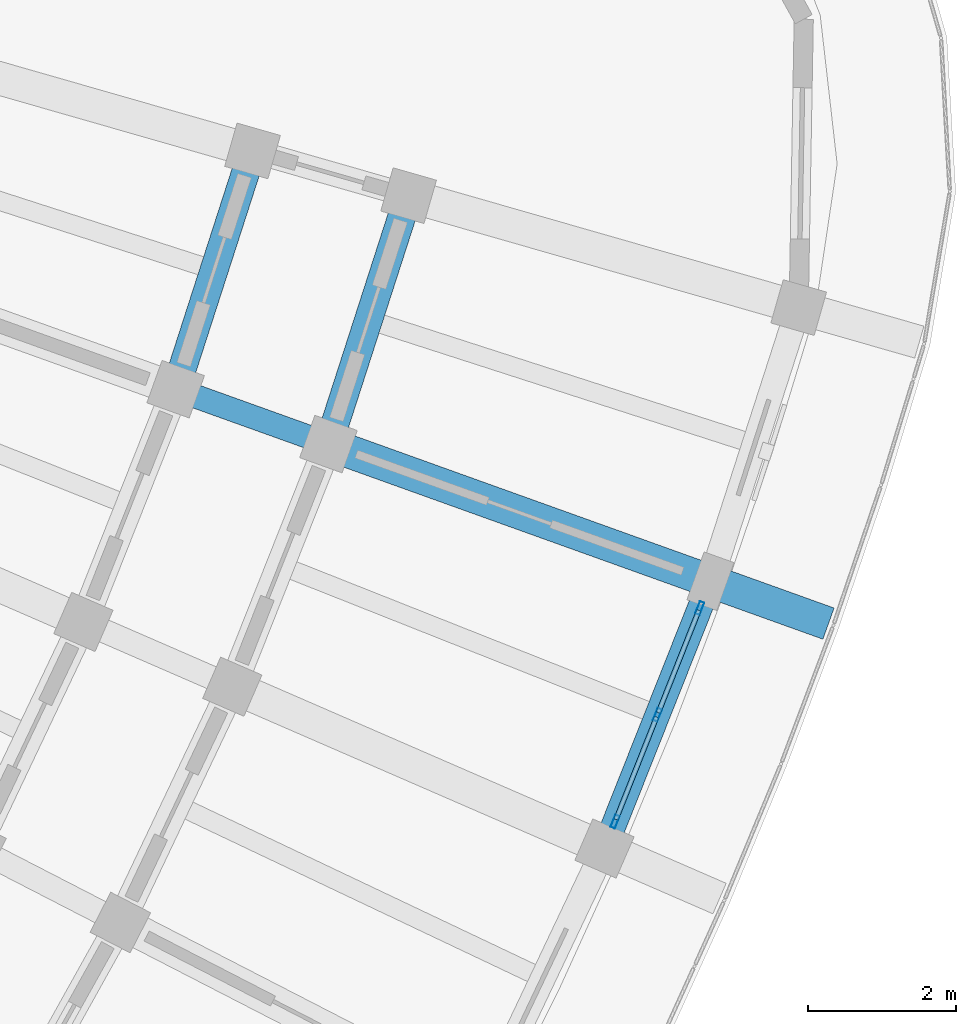
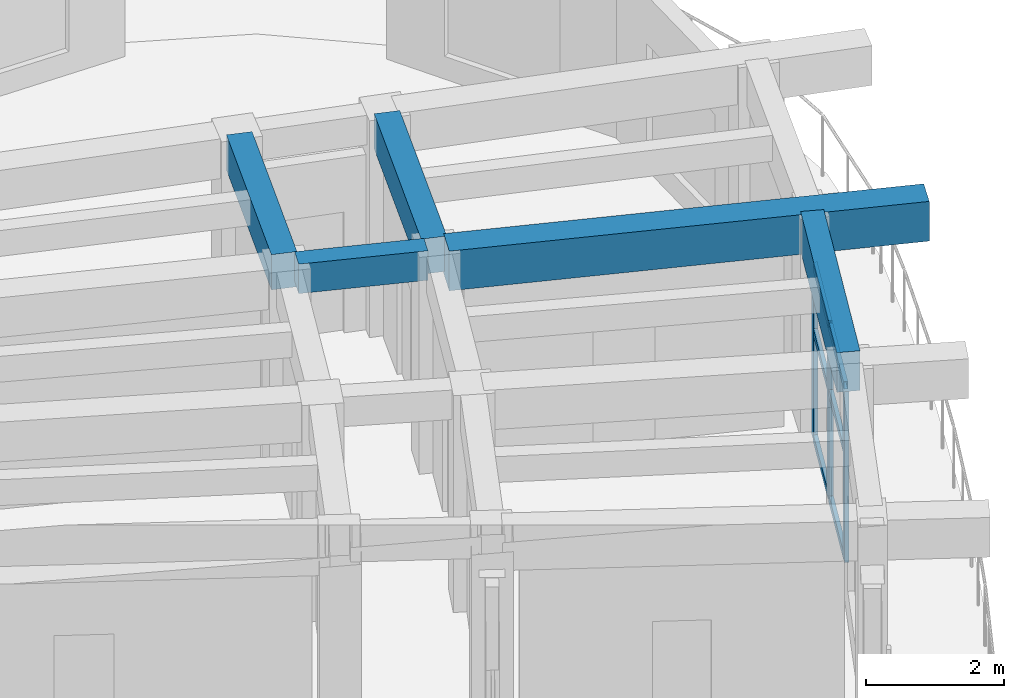
# One storey, part 59 of 128: 9 members, 5 beams, 1 element without a shape of its own.
"""IFC4 building model written with IfcOpenShell, lengths in metres."""

from ifc_helpers import new_model, si_unit, direction, frame, origin, origin_2d, place, context, subcontext, project, spatial, rectangle, hollow_rectangle, extrude, material, material_profile, profile_set, type_object, element, aggregate, save


model = new_model("IFC4")

# Units and contexts
model_context = context("Model", 3, precision=1e-05, world=origin(), true_north=direction((0.0, 1.0)))
body_context = subcontext(model_context, "Body", "Model", "MODEL_VIEW")
ifc_project = project(units=[si_unit("LENGTHUNIT", "METRE"), si_unit("AREAUNIT", "SQUARE_METRE"), si_unit("VOLUMEUNIT", "CUBIC_METRE"), si_unit("PLANEANGLEUNIT", "RADIAN"), si_unit("MASSUNIT", "GRAM", prefix="KILO")], contexts=[model_context])

# Site, building, storey
site_placement = place(None, origin())
site = spatial("IfcSite", under=ifc_project, at=site_placement, CompositionType="ELEMENT")
building_placement = place(site_placement, origin())
building = spatial("IfcBuilding", under=site, at=building_placement, Name="Tanwirah Colonnade Gardens", CompositionType="ELEMENT")
storey_placement = place(building_placement, frame((0.0, 0.0, 4.760009765625)))
storey = spatial("IfcBuildingStorey", under=building, at=storey_placement, Name="L01", CompositionType="ELEMENT", Elevation=4.760009765625)

# Beams
ifc_material_1 = material(Name="Precast concrete C40/50", Category="concrete")
ifc_material_profile_1 = material_profile(ifc_material_1, rectangle(XDim=0.320068359375, YDim=0.52001953125, at=origin_2d()), Name="PC-BM 320x520")
ifc_profile_set_1 = profile_set([ifc_material_profile_1], Name="Precast concrete C40/50")
beam_type_1 = type_object("IfcBeamType", Name="BM-PC320", PredefinedType="BEAM", material=ifc_profile_set_1)
beam_1_placement = place(storey_placement, frame((169.941162109375, 46.92822265625, 3.56494140625), z_axis=(0.941214575511, -0.337809299525, 0.0), x_axis=(0.337809299525, 0.941214575511, 0.0)))
element("IfcBeam", 1, at=beam_1_placement, inside=storey, type_object=beam_type_1, Name="Block D L01 Corridor Tie Beam 15", PredefinedType="BEAM", context=body_context, shape_type="SweptSolid", body=[
    extrude(rectangle(XDim=0.320068359375, YDim=0.52001953125, at=origin_2d()), origin(), (0.0, 0.0, 1.0), 1.89990234375),
])
ifc_material_profile_2 = material_profile(ifc_material_1, rectangle(XDim=0.3798828125, YDim=0.6201171875, at=origin_2d()), Name="PC-BM 380x620")
ifc_profile_set_2 = profile_set([ifc_material_profile_2], Name="Precast concrete C40/50")
beam_type_2 = type_object("IfcBeamType", Name="BM-PC380", PredefinedType="BEAM", material=ifc_profile_set_2)
beam_2_placement = place(storey_placement, frame((169.845947265625, 47.121826171875, 3.514892578125), z_axis=(0.306977410573, 0.951716801048, 0.0), x_axis=(-0.951716801048, 0.306977410573, 0.0)))
element("IfcBeam", 2, at=beam_2_placement, inside=storey, type_object=beam_type_2, Name="Block D L01 Circumferential Beam 15-R1", PredefinedType="BEAM", context=body_context, shape_type="SweptSolid", body=[
    extrude(rectangle(XDim=0.3798828125, YDim=0.6201171875, at=origin_2d()), origin(), (0.0, 0.0, 1.0), 3.093017578125),
])
beam_3_placement = place(storey_placement, frame((171.91650390625, 46.37841796875, 3.514892578125), z_axis=(0.306980742305, 0.951715726388, 0.0), x_axis=(-0.951715726388, 0.306980742305, 0.0)))
element("IfcBeam", 3, at=beam_3_placement, inside=storey, type_object=beam_type_2, Name="Block D L01 Circumferential Beam 15-R2", PredefinedType="BEAM", context=body_context, shape_type="SweptSolid", body=[
    extrude(rectangle(XDim=0.3798828125, YDim=0.6201171875, at=origin_2d()), origin(), (0.0, 0.0, 1.0), 3.23681640625),
])
ifc_material_2 = material(Name="Precast concrete C45/55", Category="concrete")
ifc_material_profile_3 = material_profile(ifc_material_2, rectangle(XDim=0.449951171875, YDim=0.699951171875, at=origin_2d()), Name="PC-BM 450x700")
ifc_profile_set_3 = profile_set([ifc_material_profile_3], Name="Precast concrete C45/55")
beam_type_3 = type_object("IfcBeamType", Name="BM-PC450", PredefinedType="BEAM", material=ifc_profile_set_3)
beam_4_placement = place(storey_placement, frame((172.01171875, 46.184814453125, 3.47509765625), z_axis=(0.941174903614, -0.337919814168, 0.0), x_axis=(0.337919814168, 0.941174903614, 0.0)))
element("IfcBeam", 4, at=beam_4_placement, inside=storey, type_object=beam_type_3, Name="Block D L01 Outer Radial Precast Girder 15", PredefinedType="BEAM", context=body_context, shape_type="SweptSolid", body=[
    extrude(rectangle(XDim=0.449951171875, YDim=0.699951171875, at=origin_2d()), origin(), (0.0, 0.0, 1.0), 7.050048828125),
])

# Curtain wall, members
ifc_material_3 = material(Name="Bronze-anodised aluminium and solar-control low-E glass", Category="aluminium")
curtain_wall_type = type_object("IfcCurtainWallType", Name="CW-LOB", PredefinedType="NOTDEFINED", material=ifc_material_3)
curtain_wall_placement = place(storey_placement, origin())
curtain_wall = element("IfcCurtainWall", 5, at=curtain_wall_placement, inside=storey, type_object=curtain_wall_type, Name="Curtain Wall CW-D-L01-OUT-14", PredefinedType="NOTDEFINED")
ifc_material_4 = material(Name="Bronze-anodised aluminium", Category="aluminium")
ifc_material_profile_4 = material_profile(ifc_material_4, hollow_rectangle(XDim=0.06494140625, YDim=0.179931640625, WallThickness=0.00390625, at=origin_2d()), Name="CW-MUL 65x180x4")
ifc_profile_set_4 = profile_set([ifc_material_profile_4], Name="Bronze-anodised aluminium")
member_type_1 = type_object("IfcMemberType", Name="CWM-65x180", PredefinedType="MULLION", material=ifc_profile_set_4)
member_1_placement = place(storey_placement, frame((175.755615234375, 41.119384765625, 0.0), z_axis=(0.0, 0.0, 1.0), x_axis=(-0.929616338627, 0.368528781723, 0.0)))
member_1 = element("IfcMember", 6, at=member_1_placement, type_object=member_type_1, Name="CW-LOB mullion 1", PredefinedType="MULLION", context=body_context, shape_type="SweptSolid", body=[
    extrude(hollow_rectangle(XDim=0.06494140625, YDim=0.179931640625, WallThickness=0.00390625, at=origin_2d()), origin(), (0.0, 0.0, 1.0), 3.074951171875),
])
member_2_placement = place(storey_placement, frame((176.3291015625, 42.565673828125, 0.0), z_axis=(0.0, 0.0, 1.0), x_axis=(-0.929616338627, 0.368528781723, 0.0)))
member_2 = element("IfcMember", 7, at=member_2_placement, type_object=member_type_1, Name="CW-LOB mullion 2", PredefinedType="MULLION", context=body_context, shape_type="SweptSolid", body=[
    extrude(hollow_rectangle(XDim=0.06494140625, YDim=0.179931640625, WallThickness=0.00390625, at=origin_2d()), origin(), (0.0, 0.0, 1.0), 3.074951171875),
])
member_3_placement = place(storey_placement, frame((176.90234375, 44.01220703125, 0.0), z_axis=(0.0, 0.0, 1.0), x_axis=(-0.929616338627, 0.368528781723, 0.0)))
member_3 = element("IfcMember", 8, at=member_3_placement, type_object=member_type_1, Name="CW-LOB mullion 3", PredefinedType="MULLION", context=body_context, shape_type="SweptSolid", body=[
    extrude(hollow_rectangle(XDim=0.06494140625, YDim=0.179931640625, WallThickness=0.00390625, at=origin_2d()), origin(), (0.0, 0.0, 1.0), 3.074951171875),
])
ifc_material_profile_5 = material_profile(ifc_material_4, hollow_rectangle(XDim=0.06494140625, YDim=0.135009765625, WallThickness=0.00390625, at=origin_2d()), Name="CW-TRN 65x135x4")
ifc_profile_set_5 = profile_set([ifc_material_profile_5], Name="Bronze-anodised aluminium")
member_type_2 = type_object("IfcMemberType", Name="CWT-65x135", PredefinedType="USERDEFINED", material=ifc_profile_set_5)
member_4_placement = place(storey_placement, frame((175.767578125, 41.149658203125, 0.032470703125), z_axis=(0.368452492732, 0.929646578329, 0.0), x_axis=(-0.929646578329, 0.368452492732, 0.0)))
member_4 = element("IfcMember", 9, at=member_4_placement, type_object=member_type_2, Name="CW-LOB transom 1.1", ObjectType="TRANSOM", PredefinedType="USERDEFINED", context=body_context, shape_type="SweptSolid", body=[
    extrude(hollow_rectangle(XDim=0.06494140625, YDim=0.135009765625, WallThickness=0.00390625, at=origin_2d()), origin(), (0.0, 0.0, 1.0), 1.490966796875),
])
member_5_placement = place(storey_placement, frame((175.767578125, 41.149658203125, 1.906494140625), z_axis=(0.368452492732, 0.929646578329, 0.0), x_axis=(-0.929646578329, 0.368452492732, 0.0)))
member_5 = element("IfcMember", 10, at=member_5_placement, type_object=member_type_2, Name="CW-LOB transom 1.2", ObjectType="TRANSOM", PredefinedType="USERDEFINED", context=body_context, shape_type="SweptSolid", body=[
    extrude(hollow_rectangle(XDim=0.06494140625, YDim=0.135009765625, WallThickness=0.00390625, at=origin_2d()), origin(), (0.0, 0.0, 1.0), 1.490966796875),
])
member_6_placement = place(storey_placement, frame((175.767578125, 41.149658203125, 3.04248046875), z_axis=(0.368452492732, 0.929646578329, 0.0), x_axis=(-0.929646578329, 0.368452492732, 0.0)))
member_6 = element("IfcMember", 11, at=member_6_placement, type_object=member_type_2, Name="CW-LOB transom 1.3", ObjectType="TRANSOM", PredefinedType="USERDEFINED", context=body_context, shape_type="SweptSolid", body=[
    extrude(hollow_rectangle(XDim=0.06494140625, YDim=0.135009765625, WallThickness=0.00390625, at=origin_2d()), origin(), (0.0, 0.0, 1.0), 1.490966796875),
])
member_7_placement = place(storey_placement, frame((176.341064453125, 42.595947265625, 0.032470703125), z_axis=(0.368452492732, 0.929646578329, 0.0), x_axis=(-0.929646578329, 0.368452492732, 0.0)))
member_7 = element("IfcMember", 12, at=member_7_placement, type_object=member_type_2, Name="CW-LOB transom 2.1", ObjectType="TRANSOM", PredefinedType="USERDEFINED", context=body_context, shape_type="SweptSolid", body=[
    extrude(hollow_rectangle(XDim=0.06494140625, YDim=0.135009765625, WallThickness=0.00390625, at=origin_2d()), origin(), (0.0, 0.0, 1.0), 1.490966796875),
])
member_8_placement = place(storey_placement, frame((176.341064453125, 42.595947265625, 1.906494140625), z_axis=(0.368452492732, 0.929646578329, 0.0), x_axis=(-0.929646578329, 0.368452492732, 0.0)))
member_8 = element("IfcMember", 13, at=member_8_placement, type_object=member_type_2, Name="CW-LOB transom 2.2", ObjectType="TRANSOM", PredefinedType="USERDEFINED", context=body_context, shape_type="SweptSolid", body=[
    extrude(hollow_rectangle(XDim=0.06494140625, YDim=0.135009765625, WallThickness=0.00390625, at=origin_2d()), origin(), (0.0, 0.0, 1.0), 1.490966796875),
])
member_9_placement = place(storey_placement, frame((176.341064453125, 42.595947265625, 3.04248046875), z_axis=(0.368452492732, 0.929646578329, 0.0), x_axis=(-0.929646578329, 0.368452492732, 0.0)))
member_9 = element("IfcMember", 14, at=member_9_placement, type_object=member_type_2, Name="CW-LOB transom 2.3", ObjectType="TRANSOM", PredefinedType="USERDEFINED", context=body_context, shape_type="SweptSolid", body=[
    extrude(hollow_rectangle(XDim=0.06494140625, YDim=0.135009765625, WallThickness=0.00390625, at=origin_2d()), origin(), (0.0, 0.0, 1.0), 1.490966796875),
])
aggregate(curtain_wall, [member_1, member_2, member_3, member_4, member_5, member_6, member_7, member_8, member_9])

# Beam
ifc_material_profile_6 = material_profile(ifc_material_2, rectangle(XDim=0.340087890625, YDim=0.699951171875, at=origin_2d()), Name="PC-SP 340x700")
ifc_profile_set_6 = profile_set([ifc_material_profile_6], Name="Precast concrete C45/55")
beam_type_4 = type_object("IfcBeamType", Name="SP-PC340", PredefinedType="SPANDREL", material=ifc_profile_set_6)
beam_5_placement = place(storey_placement, frame((175.666259765625, 40.89404296875, 3.47509765625), z_axis=(0.368521552478, 0.929619204491, 0.0), x_axis=(-0.929619204491, 0.368521552478, 0.0)))
element("IfcBeam", 15, at=beam_5_placement, inside=storey, type_object=beam_type_4, Name="Block D L01 Circumferential Beam 14-R3", PredefinedType="SPANDREL", context=body_context, shape_type="SweptSolid", body=[
    extrude(rectangle(XDim=0.340087890625, YDim=0.699951171875, at=origin_2d()), origin(), (0.0, 0.0, 1.0), 3.5966796875),
])

save(model, "model.ifc")
